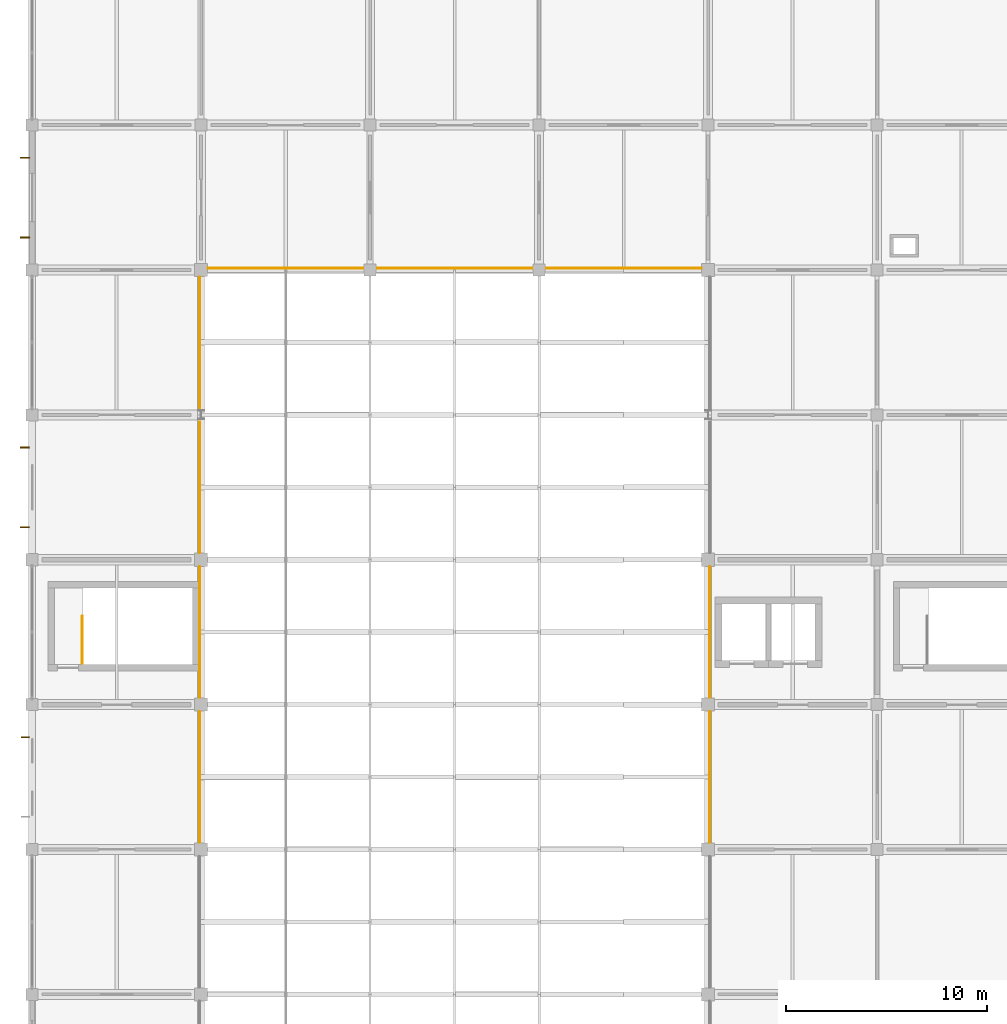
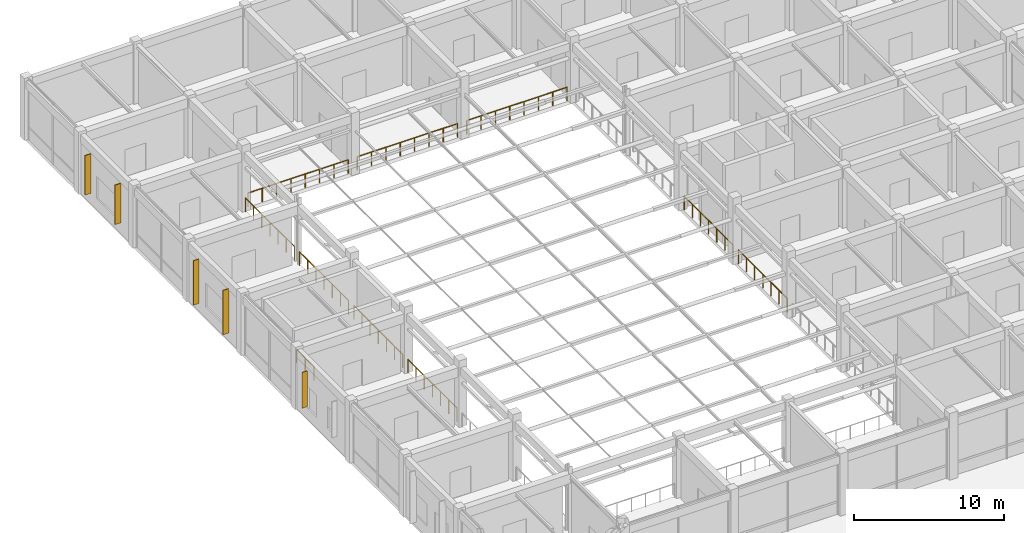
# One storey, part 35 of 38: 10 railings, 5 shading devices.
"""IFC4 building model written with IfcOpenShell, lengths in metres."""

import ifcopenshell
import ifcopenshell.guid

model = None  # the IFC model being written
_history = None  # IfcOwnerHistory: only IFC2X3 demands one
_inside = {}  # id of a spatial element -> (the spatial element, [elements in it])
_under = {}  # id of a project, library or spatial element -> (it, [spatial elements below it])
_declared = {}  # id of a project -> (the project, [libraries it declares])
_typed = {}  # id of a type object -> (the type object, [elements of that type])
_made_of = {}  # id of a material, layer set ... -> (it, [elements and type objects made of it])


def new_model(schema):
    """Start an empty IFC model of exactly this schema.

    Asked for "IFC4X3", IfcOpenShell would pick the latest addendum, in which some entities
    have other attributes; the version numbers below select the first issue.
    IFC2X3 requires an IfcOwnerHistory on every rooted entity: one is made here for all.
    """
    global model, _history
    if schema == "IFC4X3":
        model = ifcopenshell.file(schema_version=(4, 3, 0, 0))
    else:
        model = ifcopenshell.file(schema=schema)
    _inside.clear()
    _under.clear()
    _declared.clear()
    _typed.clear()
    _made_of.clear()
    _history = None
    if model.schema == "IFC2X3":
        org = make("IfcOrganization", Name="unknown")
        user = make(
            "IfcPersonAndOrganization",
            ThePerson=make("IfcPerson", FamilyName="unknown"),
            TheOrganization=org,
        )
        app = make(
            "IfcApplication",
            ApplicationDeveloper=org,
            Version="unknown",
            ApplicationFullName="unknown",
            ApplicationIdentifier="unknown",
        )
        _history = make(
            "IfcOwnerHistory",
            OwningUser=user,
            OwningApplication=app,
            ChangeAction="ADDED",
            CreationDate=0,
        )
    return model


def make(cls, **values):
    """One entity of the class cls with the attributes given. An attribute that is None is left unset."""
    return model.create_entity(
        cls, **{name: value for name, value in values.items() if value is not None}
    )


def rooted(cls, **values):
    """An entity with a GlobalId (a new one), such as an element, a storey or a relation."""
    return make(cls, GlobalId=ifcopenshell.guid.new(), OwnerHistory=_history, **values)


def si_unit(unit_type, name, prefix=None):
    """IfcSIUnit, for example si_unit("LENGTHUNIT", "METRE", prefix="MILLI")."""
    return make("IfcSIUnit", UnitType=unit_type, Prefix=prefix, Name=name)


def derived_unit(unit_type, elements):
    """IfcDerivedUnit: a product of units, each with its exponent."""
    return make(
        "IfcDerivedUnit",
        Elements=[
            make("IfcDerivedUnitElement", Unit=unit, Exponent=power)
            for unit, power in elements
        ],
        UnitType=unit_type,
    )


def assignment(units):
    """IfcUnitAssignment: the units of a project."""
    return None if units is None else make("IfcUnitAssignment", Units=units)


def point(xyz):
    """IfcCartesianPoint."""
    return None if xyz is None else make("IfcCartesianPoint", Coordinates=xyz)


def direction(xyz):
    """IfcDirection."""
    return None if xyz is None else make("IfcDirection", DirectionRatios=xyz)


def frame(location, z_axis=None, x_axis=None):
    """IfcAxis2Placement3D, a coordinate frame: its origin and axes. An axis left out is left unset."""
    return make(
        "IfcAxis2Placement3D",
        Location=point(location),
        Axis=direction(z_axis),
        RefDirection=direction(x_axis),
    )


def frame_2d(location, x_axis=None):
    """IfcAxis2Placement2D, a coordinate frame in the plane: its origin and x axis."""
    return make(
        "IfcAxis2Placement2D", Location=point(location), RefDirection=direction(x_axis)
    )


def origin():
    """The frame at (0, 0, 0) with its axes left unset."""
    return frame((0.0, 0.0, 0.0))


def origin_2d():
    """The frame at (0, 0) in the plane with its x axis left unset."""
    return frame_2d((0.0, 0.0))


def place(relative_to, where):
    """IfcLocalPlacement: puts the frame where relative to a parent placement (None: the world)."""
    return make(
        "IfcLocalPlacement", PlacementRelTo=relative_to, RelativePlacement=where
    )


def context(
    kind, dimensions, precision=None, world=None, true_north=None, identifier=None
):
    """IfcGeometricRepresentationContext, for example the 3D "Model" context."""
    return make(
        "IfcGeometricRepresentationContext",
        ContextIdentifier=identifier,
        ContextType=kind,
        CoordinateSpaceDimension=dimensions,
        Precision=precision,
        WorldCoordinateSystem=world,
        TrueNorth=true_north,
    )


def subcontext(parent, identifier, kind, view, scale=None):
    """IfcGeometricRepresentationSubContext, for example "Body" below "Model"."""
    return make(
        "IfcGeometricRepresentationSubContext",
        ContextIdentifier=identifier,
        ContextType=kind,
        ParentContext=parent,
        TargetScale=scale,
        TargetView=view,
    )


def project(units=None, contexts=None):
    """IfcProject with its units and contexts."""
    return rooted(
        "IfcProject",
        Name="project",
        RepresentationContexts=contexts,
        UnitsInContext=assignment(units),
    )


def spatial(cls, under=None, at=None, **own):
    """A site, building, storey or space (cls), placed at a placement, below another one or the project."""
    s = rooted(cls, ObjectPlacement=at, **own)
    if under is not None:
        _under.setdefault(under.id(), (under, []))[1].append(s)
    return s


def profile(cls, at=None, kind="AREA", **sizes):
    """A parametric profile (cls). Its sizes go by their IFC names, for example OverallWidth=200.0."""
    return make(cls, ProfileType=kind, Position=at, **sizes)


def rectangle(**sizes):
    """IfcRectangleProfileDef."""
    return profile("IfcRectangleProfileDef", **sizes)


def circle(**sizes):
    """IfcCircleProfileDef."""
    return profile("IfcCircleProfileDef", **sizes)


def extrude(swept, where, along, depth):
    """IfcExtrudedAreaSolid: the profile swept, set in the frame where, extruded along a direction by depth."""
    return make(
        "IfcExtrudedAreaSolid",
        SweptArea=swept,
        Position=where,
        ExtrudedDirection=direction(along),
        Depth=depth,
    )


def shape(context_of_items, identifier, shape_type, items):
    """IfcShapeRepresentation: the items that make up one representation, for example the "Body"."""
    return make(
        "IfcShapeRepresentation",
        ContextOfItems=context_of_items,
        RepresentationIdentifier=identifier,
        RepresentationType=shape_type,
        Items=items,
    )


def material(Name=None, Category=None):
    """IfcMaterial."""
    return make("IfcMaterial", Name=Name, Category=Category)


def layer(
    of_material, thickness, ventilated=None, Name=None, Category=None, Priority=None
):
    """IfcMaterialLayer: one layer of a wall or slab, of a material (None: an air gap)."""
    return make(
        "IfcMaterialLayer",
        Material=of_material,
        LayerThickness=thickness,
        IsVentilated=ventilated,
        Name=Name,
        Category=Category,
        Priority=Priority,
    )


def layer_set(layers, Name=None):
    """IfcMaterialLayerSet."""
    return make("IfcMaterialLayerSet", MaterialLayers=layers, LayerSetName=Name)


def made_of(thing, what):
    """Note that an element or type object is made of a material, layer set ...; save() writes the relation."""
    if what is not None:
        _made_of.setdefault(what.id(), (what, []))[1].append(thing)
    return thing


def type_object(cls, material=None, **own):
    """A type object (cls), such as IfcWallType, which elements share."""
    return made_of(rooted(cls, **own), material)


def element(
    cls,
    number,
    at=None,
    inside=None,
    cuts=None,
    type_object=None,
    material=None,
    context=None,
    identifier="Body",
    shape_type=None,
    held_by="IfcProductDefinitionShape",
    body=None,
    shapes=None,
    **own,
):
    """One element of the class cls, such as IfcWall. Its Tag is "e" and its number.

    at: its placement. inside: the storey or other place that contains it. cuts: it is an
    opening in that element (IfcRelVoidsElement). A single representation is given by context,
    identifier, shape_type and body (its items); several are given by shapes. held_by: the class
    of the entity that holds the representations. save() writes the other relations.
    """
    e = rooted(cls, Tag="e%d" % number, ObjectPlacement=at, **own)
    if body is not None:
        shapes = [shape(context, identifier, shape_type, body)]
    if shapes is not None:
        e.Representation = make(held_by, Representations=shapes)
    if inside is not None:
        _inside.setdefault(inside.id(), (inside, []))[1].append(e)
    if cuts is not None:
        rooted(
            "IfcRelVoidsElement", RelatingBuildingElement=cuts, RelatedOpeningElement=e
        )
    if type_object is not None:
        _typed.setdefault(type_object.id(), (type_object, []))[1].append(e)
    return made_of(e, material)


def aggregate(whole, parts):
    """IfcRelAggregates: a whole, such as a stair, and the parts it consists of."""
    return rooted("IfcRelAggregates", RelatingObject=whole, RelatedObjects=parts)


def save(model, path):
    """Write the relations noted so far, then the file.

    IfcRelAggregates (storeys below a building ...), IfcRelContainedInSpatialStructure (elements
    in a storey), IfcRelDefinesByType, IfcRelAssociatesMaterial and IfcRelDeclares: one each for
    every whole, place, type object, material and project.
    """
    for whole, parts in _under.values():
        aggregate(whole, parts)
    for where, things in _inside.values():
        rooted(
            "IfcRelContainedInSpatialStructure",
            RelatedElements=things,
            RelatingStructure=where,
        )
    for kind, things in _typed.values():
        rooted("IfcRelDefinesByType", RelatedObjects=things, RelatingType=kind)
    for what, things in _made_of.values():
        rooted("IfcRelAssociatesMaterial", RelatedObjects=things, RelatingMaterial=what)
    for by, libraries in _declared.values():
        rooted("IfcRelDeclares", RelatingContext=by, RelatedDefinitions=libraries)
    model.write(path)


model = new_model("IFC4")

# Units and contexts
model_context = context("Model", 3, precision=1e-05, world=origin(), true_north=direction((0.0, 1.0)))
body_context = subcontext(model_context, "Body", "Model", "MODEL_VIEW")
ifc_project = project(units=[si_unit("LENGTHUNIT", "METRE"), si_unit("AREAUNIT", "SQUARE_METRE"), si_unit("VOLUMEUNIT", "CUBIC_METRE"), si_unit("PLANEANGLEUNIT", "RADIAN"), si_unit("MASSUNIT", "GRAM", prefix="KILO"), derived_unit("THERMALTRANSMITTANCEUNIT", [(si_unit("MASSUNIT", "GRAM", prefix="KILO"), 1), (si_unit("TIMEUNIT", "SECOND"), -3), (si_unit("THERMODYNAMICTEMPERATUREUNIT", "KELVIN"), -1)])], contexts=[model_context])

# Site, building, storey
site_placement = place(None, origin())
site = spatial("IfcSite", under=ifc_project, at=site_placement, CompositionType="ELEMENT")
building_placement = place(site_placement, origin())
building = spatial("IfcBuilding", under=site, at=building_placement, Name="Veldstrom Oceanarium and Marine Research Institute", CompositionType="ELEMENT")
storey_placement = place(building_placement, frame((0.0, 0.0, 16.800048828125)))
storey = spatial("IfcBuildingStorey", under=building, at=storey_placement, Name="L03", CompositionType="ELEMENT", Elevation=16.800048828125)

# Railings
ifc_material_1 = material(Name="Duplex Stainless Steel Balustrade", Category="steel")
ifc_layer_1 = layer(ifc_material_1, 0.06005859375)
ifc_layer_set_1 = layer_set([ifc_layer_1], Name="ARC-RLG-GR1")
railing_type = type_object("IfcRailingType", Name="ARC-RLG-GR1", PredefinedType="GUARDRAIL", material=ifc_layer_set_1)
railing_1_placement = place(storey_placement, frame((10.89990234375, 38.050048828125, 0.0)))
element("IfcRailing", 1, at=railing_1_placement, inside=storey, type_object=railing_type, Name="Stair Well Landing Guard ST3 L03", PredefinedType="GUARDRAIL", context=body_context, shape_type="SweptSolid", body=[
    extrude(circle(Radius=0.02392578125, at=origin_2d()), frame((0.0, 0.0, 1.09619140625), z_axis=(0.0, 1.0, 0.0), x_axis=(-1.0, 0.0, 0.0)), (0.0, 0.0, 1.0), 2.349853515625),
    extrude(circle(Radius=0.02099609375, at=origin_2d()), origin(), (0.0, 0.0, 1.0), 1.072021484375),
    extrude(circle(Radius=0.02099609375, at=origin_2d()), frame((0.0, 1.1748046875, 0.0)), (0.0, 0.0, 1.0), 1.072021484375),
    extrude(circle(Radius=0.02099609375, at=origin_2d()), frame((0.0, 2.349853515625, 0.0)), (0.0, 0.0, 1.0), 1.072021484375),
])
for number, where, name in (
    (2, (16.719970703125, 29.14990234375, 0.0), "Atrium Overlook Guardrail GR-ATR-L03-22"),
    (3, (16.719970703125, 36.35009765625, 0.0), "Atrium Overlook Guardrail GR-ATR-L03-23"),
    (4, (16.719970703125, 43.550048828125, 0.0), "Atrium Overlook Guardrail GR-ATR-L03-24"),
    (5, (16.719970703125, 50.75, 0.0), "Atrium Overlook Guardrail GR-ATR-L03-25"),
):
    element("IfcRailing", number, at=place(storey_placement, frame(where)), inside=storey, type_object=railing_type, Name=name, PredefinedType="GUARDRAIL", context=body_context, shape_type="SweptSolid", body=[
        extrude(circle(Radius=0.02392578125, at=origin_2d()), frame((0.0, 0.0, 1.09619140625), z_axis=(0.0, 1.0, 0.0), x_axis=(-1.0, 0.0, 0.0)), (0.0, 0.0, 1.0), 6.5),
        extrude(circle(Radius=0.02099609375, at=origin_2d()), origin(), (0.0, 0.0, 1.0), 1.072021484375),
        extrude(circle(Radius=0.02099609375, at=origin_2d()), frame((0.0, 1.083251953125, 0.0)), (0.0, 0.0, 1.0), 1.072021484375),
        extrude(circle(Radius=0.02099609375, at=origin_2d()), frame((0.0, 2.166748046875, 0.0)), (0.0, 0.0, 1.0), 1.072021484375),
        extrude(circle(Radius=0.02099609375, at=origin_2d()), frame((0.0, 3.25, 0.0)), (0.0, 0.0, 1.0), 1.072021484375),
        extrude(circle(Radius=0.02099609375, at=origin_2d()), frame((0.0, 4.333251953125, 0.0)), (0.0, 0.0, 1.0), 1.072021484375),
        extrude(circle(Radius=0.02099609375, at=origin_2d()), frame((0.0, 5.416748046875, 0.0)), (0.0, 0.0, 1.0), 1.072021484375),
        extrude(circle(Radius=0.02099609375, at=origin_2d()), frame((0.0, 6.5, 0.0)), (0.0, 0.0, 1.0), 1.072021484375),
    ])
railing_2_placement = place(storey_placement, frame((17.14990234375, 57.679931640625, 0.0)))
element("IfcRailing", 6, at=railing_2_placement, inside=storey, type_object=railing_type, Name="Atrium Overlook Guardrail GR-ATR-L03-27", PredefinedType="GUARDRAIL", context=body_context, shape_type="SweptSolid", body=[
    extrude(circle(Radius=0.02392578125, at=origin_2d()), frame((0.0, 0.0, 1.09619140625), z_axis=(1.0, 0.0, 0.0), x_axis=(0.0, 1.0, 0.0)), (0.0, 0.0, 1.0), 7.7001953125),
    extrude(circle(Radius=0.02099609375, at=origin_2d()), origin(), (0.0, 0.0, 1.0), 1.072021484375),
    extrude(circle(Radius=0.02099609375, at=origin_2d()), frame((1.10009765625, 0.0, 0.0)), (0.0, 0.0, 1.0), 1.072021484375),
    extrude(circle(Radius=0.02099609375, at=origin_2d()), frame((2.199951171875, 0.0, 0.0)), (0.0, 0.0, 1.0), 1.072021484375),
    extrude(circle(Radius=0.02099609375, at=origin_2d()), frame((3.300048828125, 0.0, 0.0)), (0.0, 0.0, 1.0), 1.072021484375),
    extrude(circle(Radius=0.02099609375, at=origin_2d()), frame((4.400146484375, 0.0, 0.0)), (0.0, 0.0, 1.0), 1.072021484375),
    extrude(circle(Radius=0.02099609375, at=origin_2d()), frame((5.500244140625, 0.0, 0.0)), (0.0, 0.0, 1.0), 1.072021484375),
    extrude(circle(Radius=0.02099609375, at=origin_2d()), frame((6.60009765625, 0.0, 0.0)), (0.0, 0.0, 1.0), 1.072021484375),
    extrude(circle(Radius=0.02099609375, at=origin_2d()), frame((7.7001953125, 0.0, 0.0)), (0.0, 0.0, 1.0), 1.072021484375),
])
for number, where, name in (
    (7, (25.550048828125, 57.679931640625, 0.0), "Atrium Overlook Guardrail GR-ATR-L03-29"),
    (8, (33.949951171875, 57.679931640625, 0.0), "Atrium Overlook Guardrail GR-ATR-L03-31"),
):
    element("IfcRailing", number, at=place(storey_placement, frame(where)), inside=storey, type_object=railing_type, Name=name, PredefinedType="GUARDRAIL", context=body_context, shape_type="SweptSolid", body=[
        extrude(circle(Radius=0.02392578125, at=origin_2d()), frame((0.0, 0.0, 1.09619140625), z_axis=(1.0, 0.0, 0.0), x_axis=(0.0, 1.0, 0.0)), (0.0, 0.0, 1.0), 7.699951171875),
        extrude(circle(Radius=0.02099609375, at=origin_2d()), origin(), (0.0, 0.0, 1.0), 1.072021484375),
        extrude(circle(Radius=0.02099609375, at=origin_2d()), frame((1.10009765625, 0.0, 0.0)), (0.0, 0.0, 1.0), 1.072021484375),
        extrude(circle(Radius=0.02099609375, at=origin_2d()), frame((2.199951171875, 0.0, 0.0)), (0.0, 0.0, 1.0), 1.072021484375),
        extrude(circle(Radius=0.02099609375, at=origin_2d()), frame((3.300048828125, 0.0, 0.0)), (0.0, 0.0, 1.0), 1.072021484375),
        extrude(circle(Radius=0.02099609375, at=origin_2d()), frame((4.39990234375, 0.0, 0.0)), (0.0, 0.0, 1.0), 1.072021484375),
        extrude(circle(Radius=0.02099609375, at=origin_2d()), frame((5.5, 0.0, 0.0)), (0.0, 0.0, 1.0), 1.072021484375),
        extrude(circle(Radius=0.02099609375, at=origin_2d()), frame((6.599853515625, 0.0, 0.0)), (0.0, 0.0, 1.0), 1.072021484375),
        extrude(circle(Radius=0.02099609375, at=origin_2d()), frame((7.699951171875, 0.0, 0.0)), (0.0, 0.0, 1.0), 1.072021484375),
    ])
for number, where, name in (
    (9, (42.080078125, 29.14990234375, 0.0), "Atrium Overlook Guardrail GR-ATR-L03-34"),
    (10, (42.080078125, 36.35009765625, 0.0), "Atrium Overlook Guardrail GR-ATR-L03-35"),
):
    element("IfcRailing", number, at=place(storey_placement, frame(where)), inside=storey, type_object=railing_type, Name=name, PredefinedType="GUARDRAIL", context=body_context, shape_type="SweptSolid", body=[
        extrude(circle(Radius=0.02392578125, at=origin_2d()), frame((0.0, 0.0, 1.09619140625), z_axis=(0.0, 1.0, 0.0), x_axis=(-1.0, 0.0, 0.0)), (0.0, 0.0, 1.0), 6.5),
        extrude(circle(Radius=0.02099609375, at=origin_2d()), origin(), (0.0, 0.0, 1.0), 1.072021484375),
        extrude(circle(Radius=0.02099609375, at=origin_2d()), frame((0.0, 1.083251953125, 0.0)), (0.0, 0.0, 1.0), 1.072021484375),
        extrude(circle(Radius=0.02099609375, at=origin_2d()), frame((0.0, 2.166748046875, 0.0)), (0.0, 0.0, 1.0), 1.072021484375),
        extrude(circle(Radius=0.02099609375, at=origin_2d()), frame((0.0, 3.25, 0.0)), (0.0, 0.0, 1.0), 1.072021484375),
        extrude(circle(Radius=0.02099609375, at=origin_2d()), frame((0.0, 4.333251953125, 0.0)), (0.0, 0.0, 1.0), 1.072021484375),
        extrude(circle(Radius=0.02099609375, at=origin_2d()), frame((0.0, 5.416748046875, 0.0)), (0.0, 0.0, 1.0), 1.072021484375),
        extrude(circle(Radius=0.02099609375, at=origin_2d()), frame((0.0, 6.5, 0.0)), (0.0, 0.0, 1.0), 1.072021484375),
    ])

# Shading devices
ifc_material_2 = material(Name="Precast Terracotta Brise-Soleil Louvre", Category="masonry")
ifc_layer_2 = layer(ifc_material_2, 3.60009765625)
ifc_layer_set_2 = layer_set([ifc_layer_2], Name="ARC-SHD-BS01")
shading_device_type_1 = type_object("IfcShadingDeviceType", Name="ARC-SHD-BS01", PredefinedType="JALOUSIE", material=ifc_layer_set_2)
for number, where, z_axis, x_axis, name in (
    (11, (8.034912109375, 44.820068359375, 0.6748046875), (0.0, 0.0, 1.0), (1.0, 0.0, 0.0), "Terracotta Brise-Soleil Louvre L03-088"),
    (12, (8.034912109375, 48.780029296875, 0.6748046875), (0.0, 0.0, 1.0), (1.0, 0.0, 0.0), "Terracotta Brise-Soleil Louvre L03-088"),
):
    element("IfcShadingDevice", number, at=place(storey_placement, frame(where, z_axis=z_axis, x_axis=x_axis)), inside=storey, type_object=shading_device_type_1, Name=name, PredefinedType="JALOUSIE", context=body_context, shape_type="SweptSolid", body=[
        extrude(rectangle(XDim=0.449951171875, YDim=0.06005859375, at=origin_2d()), origin(), (0.0, 0.0, 1.0), 3.60009765625),
    ])
ifc_material_3 = material(Name="Precast Terracotta Brise-Soleil Louvre", Category="masonry")
ifc_layer_3 = layer(ifc_material_3, 3.199951171875)
ifc_layer_set_3 = layer_set([ifc_layer_3], Name="ARC-SHD-BS02")
shading_device_type_2 = type_object("IfcShadingDeviceType", Name="ARC-SHD-BS02", PredefinedType="JALOUSIE", material=ifc_layer_set_3)
for number, where, z_axis, x_axis, name in (
    (13, (8.044921875, 59.219970703125, 0.875), (0.0, 0.0, 1.0), (1.0, 0.0, 0.0), "Terracotta Brise-Soleil Louvre L03-089"),
    (14, (8.044921875, 63.179931640625, 0.875), (0.0, 0.0, 1.0), (1.0, 0.0, 0.0), "Terracotta Brise-Soleil Louvre L03-089"),
):
    element("IfcShadingDevice", number, at=place(storey_placement, frame(where, z_axis=z_axis, x_axis=x_axis)), inside=storey, type_object=shading_device_type_2, Name=name, PredefinedType="JALOUSIE", context=body_context, shape_type="SweptSolid", body=[
        extrude(rectangle(XDim=0.449951171875, YDim=0.06005859375, at=origin_2d()), origin(), (0.0, 0.0, 1.0), 3.199951171875),
    ])
ifc_material_4 = material(Name="Precast Terracotta Brise-Soleil Louvre", Category="masonry")
ifc_layer_4 = layer(ifc_material_4, 2.89990234375)
ifc_layer_set_4 = layer_set([ifc_layer_4], Name="ARC-SHD-BS04")
shading_device_type_3 = type_object("IfcShadingDeviceType", Name="ARC-SHD-BS04", PredefinedType="JALOUSIE", material=ifc_layer_set_4)
shading_device_placement = place(storey_placement, frame((8.050048828125, 34.3798828125, 1.02490234375), z_axis=(0.0, 0.0, 1.0), x_axis=(1.0, 0.0, 0.0)))
element("IfcShadingDevice", 15, at=shading_device_placement, inside=storey, type_object=shading_device_type_3, Name="Terracotta Brise-Soleil Louvre L03-087", PredefinedType="JALOUSIE", context=body_context, shape_type="SweptSolid", body=[
    extrude(rectangle(XDim=0.39990234375, YDim=0.054931640625, at=origin_2d()), origin(), (0.0, 0.0, 1.0), 2.89990234375),
])

save(model, "model.ifc")
